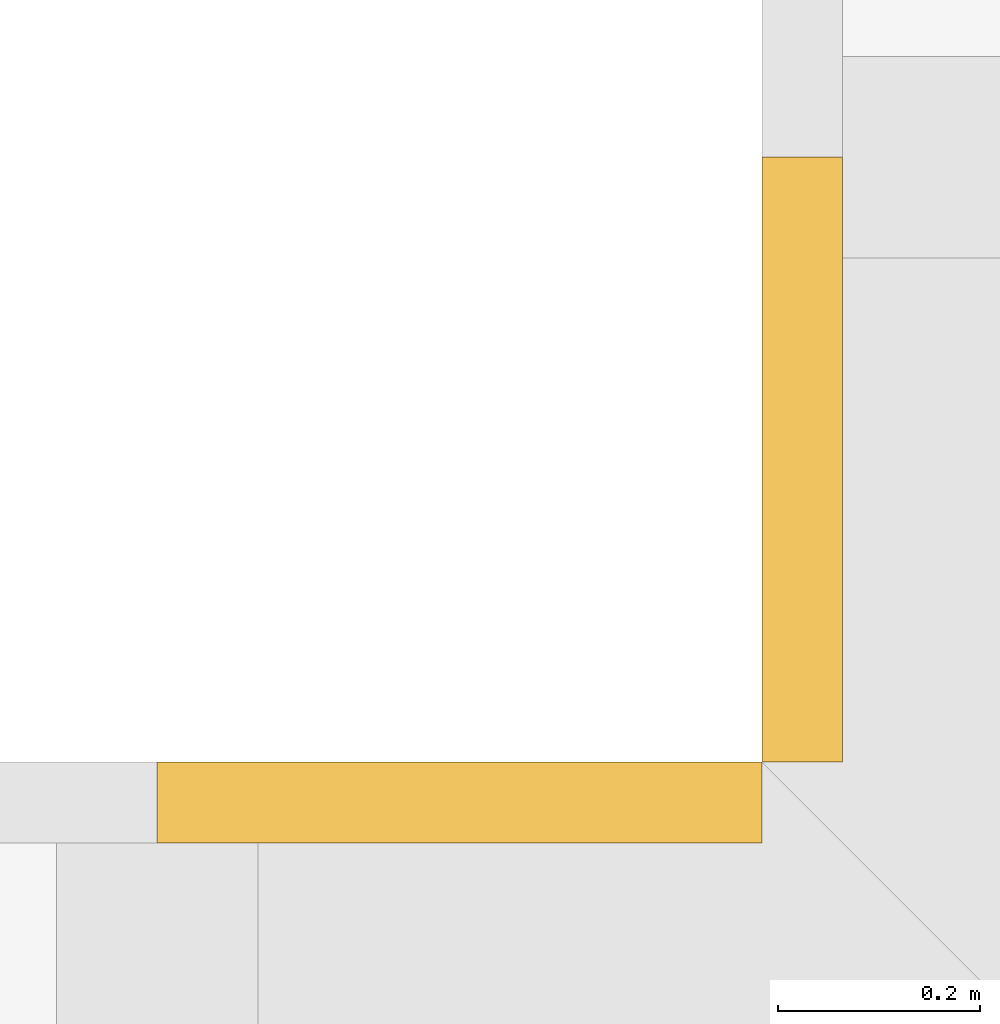
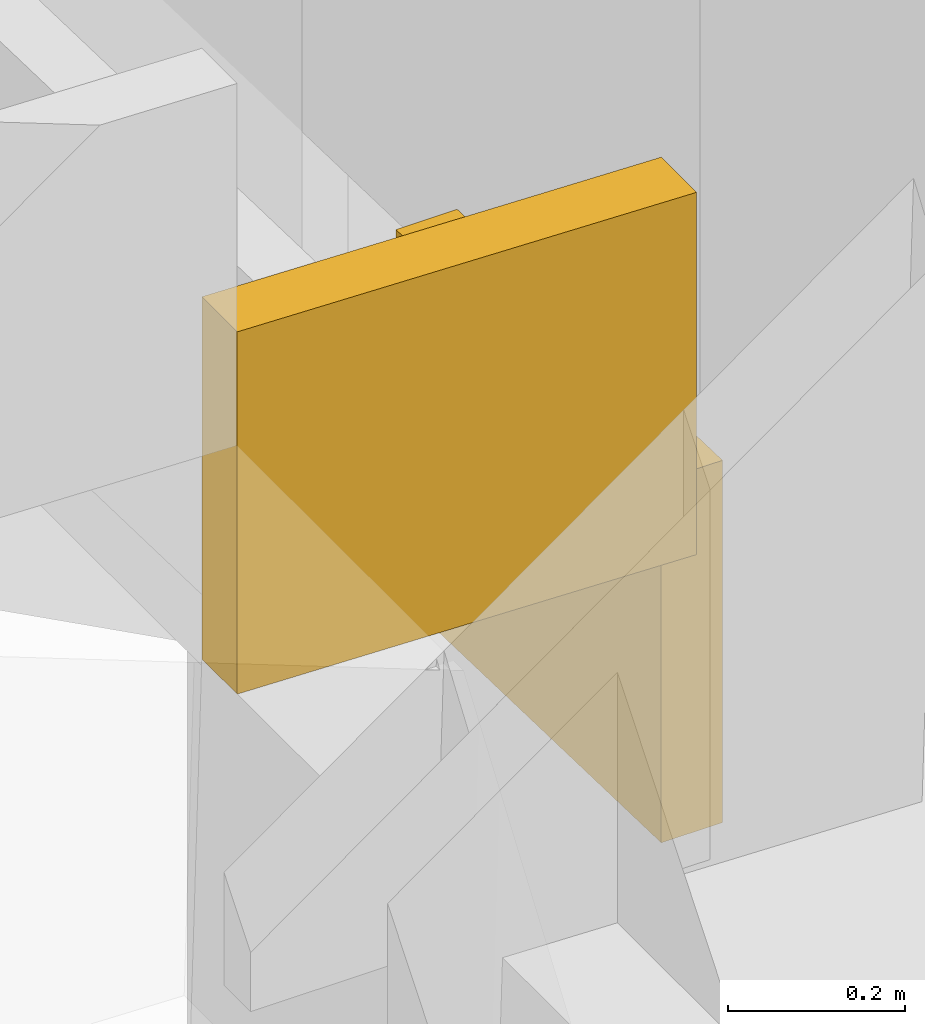
# One storey, part 29 of 30: 2 coverings.
"""IFC4 building model written with IfcOpenShell, lengths in metres."""

from ifc_helpers import new_model, si_unit, direction, frame, origin, place, context, subcontext, project, spatial, polyline, outline, extrude, material, layer, layer_set, type_object, element, save


model = new_model("IFC4")

# Units and contexts
model_context = context("Model", 3, precision=1e-05, world=origin(), true_north=direction((0.0, 1.0)))
body_context = subcontext(model_context, "Body", "Model", "MODEL_VIEW")
ifc_project = project(units=[si_unit("LENGTHUNIT", "METRE"), si_unit("AREAUNIT", "SQUARE_METRE"), si_unit("VOLUMEUNIT", "CUBIC_METRE"), si_unit("PLANEANGLEUNIT", "RADIAN"), si_unit("MASSUNIT", "GRAM", prefix="KILO")], contexts=[model_context])

# Site, building, storey
site_placement = place(None, origin())
site = spatial("IfcSite", under=ifc_project, at=site_placement, CompositionType="ELEMENT")
building_placement = place(site_placement, origin())
building = spatial("IfcBuilding", under=site, at=building_placement, Name="Saffron Gate Tower", CompositionType="ELEMENT")
storey_placement = place(building_placement, frame((0.0, 0.0, 237.89990234375)))
storey = spatial("IfcBuildingStorey", under=building, at=storey_placement, Name="L58", CompositionType="ELEMENT", Elevation=237.89990234375)

# Coverings
ifc_material = material(Name="Timber, thermally modified ash", Category="wood")
ifc_layer = layer(ifc_material, 0.080078125)
ifc_layer_set = layer_set([ifc_layer], Name="LD2 ledge planter trough")
covering_type = type_object("IfcCoveringType", Name="LD2 ledge planter trough", PredefinedType="CLADDING", material=ifc_layer_set)
covering_1_placement = place(storey_placement, frame((50.39990234375, 73.800048828125, 2.39501953125), z_axis=(-1.0, 0.0, 0.0), x_axis=(0.0, -0.999583081391, 0.028873229772)))
element("IfcCovering", 1, at=covering_1_placement, inside=storey, type_object=covering_type, Name="LEDGE planter trough", PredefinedType="CLADDING", context=body_context, shape_type="SweptSolid", body=[
    extrude(outline(polyline([(0.0, 0.0), (0.6003479524834376, -3.469446951953614e-18), (0.6147845673692678, 0.4997915406953566), (0.014436614885830073, 0.4997915406953566), (0.0, 0.0)])), origin(), (0.0, 0.0, -1.0), 0.080078125),
])
covering_2_placement = place(storey_placement, frame((50.39990234375, 73.199951171875, 2.85888671875), z_axis=(0.0, 1.0, 0.0), x_axis=(-0.999582742162, 0.0, 0.028884971385)))
element("IfcCovering", 2, at=covering_2_placement, inside=storey, type_object=covering_type, Name="LEDGE planter trough", PredefinedType="CLADDING", context=body_context, shape_type="SweptSolid", body=[
    extrude(outline(polyline([(0.0, 0.0), (0.6001039136866089, 0.0), (0.614546399379222, 0.4997913710809928), (0.014442485692613144, 0.49979137108099286), (0.0, 0.0)])), origin(), (0.0, 0.0, -1.0), 0.080078125),
])

save(model, "model.ifc")
